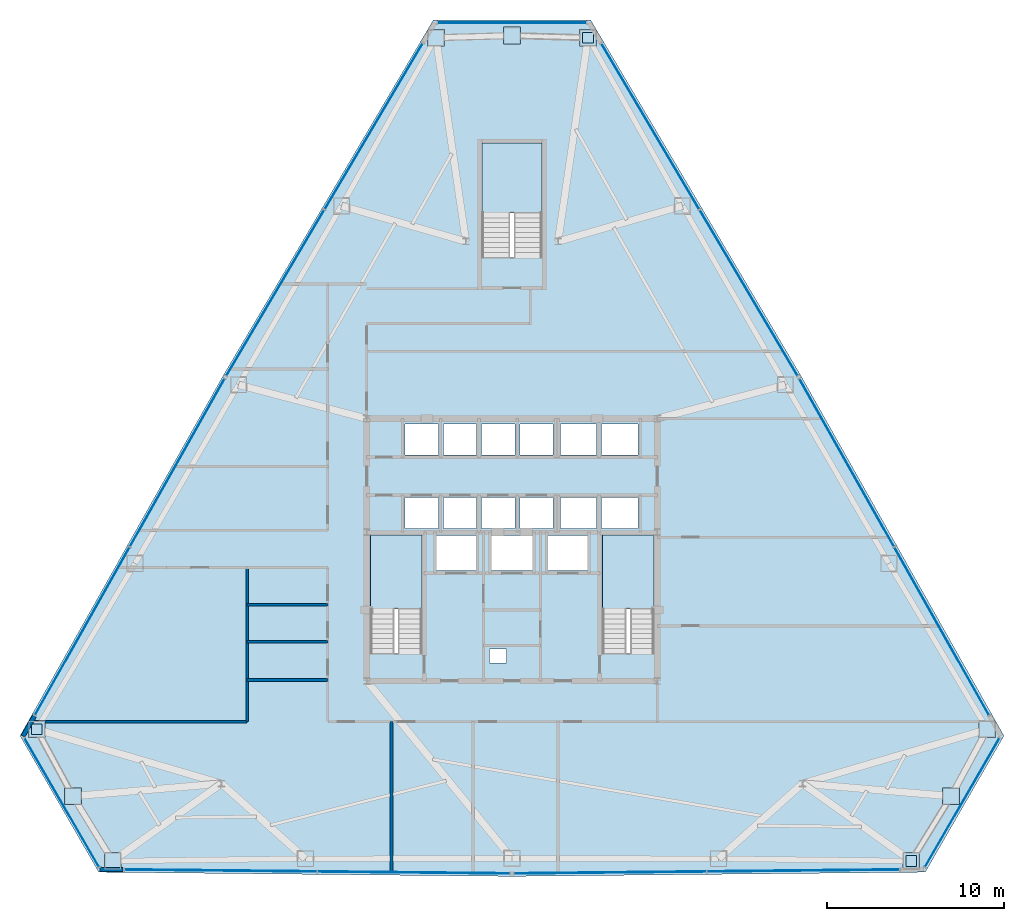
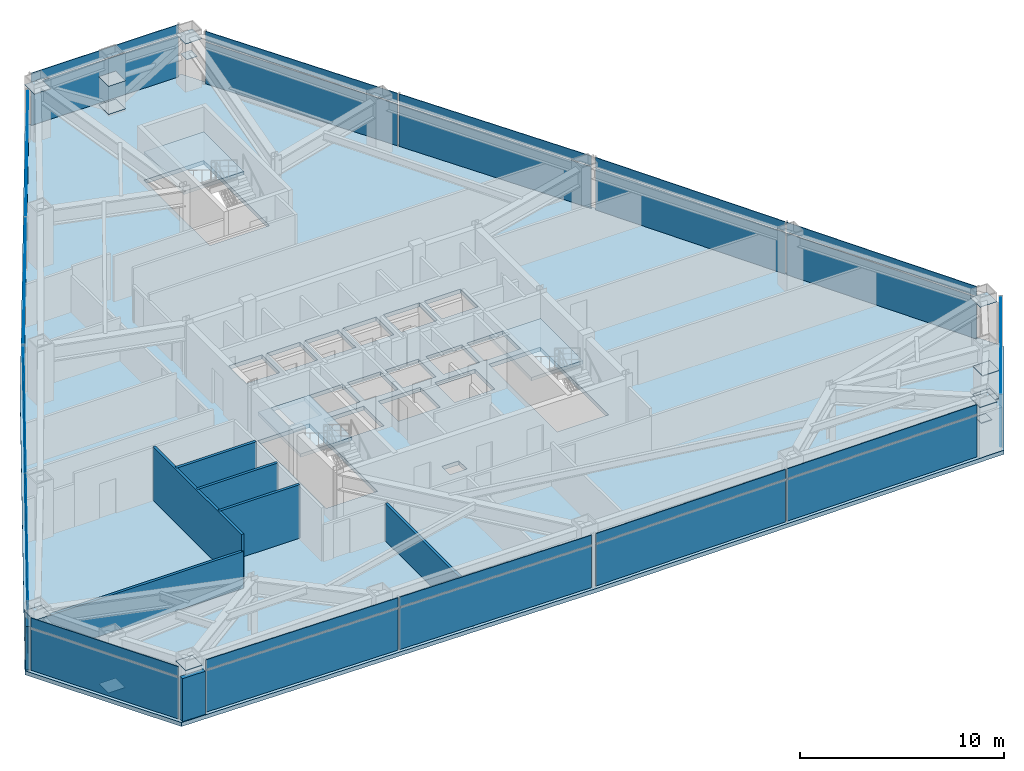
# One storey, part 9 of 13: 45 plates, 8 walls, 4 slabs, 12 elements without a shape of their own.
"""IFC4 building model written with IfcOpenShell, lengths in metres."""

from ifc_helpers import new_model, si_unit, direction, frame, frame_2d, origin, origin_2d, place, context, subcontext, project, spatial, polyline, rectangle, outline, extrude, source, transform, mapped, material, layer, layer_set, type_object, type_shapes, element, aggregate, save


model = new_model("IFC4")

# Units and contexts
model_context = context("Model", 3, precision=1e-05, world=origin(), true_north=direction((0.0, 1.0)))
body_context = subcontext(model_context, "Body", "Model", "MODEL_VIEW")
ifc_project = project(units=[si_unit("LENGTHUNIT", "METRE"), si_unit("AREAUNIT", "SQUARE_METRE"), si_unit("VOLUMEUNIT", "CUBIC_METRE"), si_unit("PLANEANGLEUNIT", "RADIAN"), si_unit("MASSUNIT", "GRAM", prefix="KILO")], contexts=[model_context])

# Site, building, storey
site_placement = place(None, origin())
site = spatial("IfcSite", under=ifc_project, at=site_placement, CompositionType="ELEMENT")
building_placement = place(site_placement, origin())
building = spatial("IfcBuilding", under=site, at=building_placement, Name="Varakhsha Concourse Tower", CompositionType="ELEMENT")
storey_placement = place(building_placement, frame((0.0, 0.0, 116.0)))
storey = spatial("IfcBuildingStorey", under=building, at=storey_placement, Name="L33", CompositionType="ELEMENT", Elevation=116.0)

# Slab
ifc_material_1 = material(Name="Concrete fc 45 MPa", Category="concrete")
ifc_layer_1 = layer(ifc_material_1, 0.239990234375, Name="SL-FLR-240")
ifc_layer_set_1 = layer_set([ifc_layer_1], Name="Concrete fc 45 MPa")
slab_type_1 = type_object("IfcSlabType", Name="SL-FLR-240", PredefinedType="FLOOR", material=ifc_layer_set_1)
slab_1_placement = place(storey_placement, frame((0.0, 0.0, -0.239990234375)))
element("IfcSlab", 1, at=slab_1_placement, inside=storey, type_object=slab_type_1, Name="L33 Composite Structural Slab", PredefinedType="FLOOR", context=body_context, shape_type="SweptSolid", body=[
    extrude(outline(polyline([(44.44287109375, 53.704833984375), (35.55712890625, 53.704833984375), (23.685791015625, 33.618896484375), (12.226806640625, 13.295166015625), (16.669677734375, 5.60009765625), (40.0, 5.36181640625), (63.330322265625, 5.60009765625), (67.773193359375, 13.295166015625), (56.314208984375, 33.618896484375), (44.44287109375, 53.704833984375)]), holes=[polyline([(34.919921875, 17.93994140625), (34.919921875, 24.6298828125), (32.0, 24.6298828125), (32.0, 17.93994140625), (34.919921875, 17.93994140625)]), polyline([(48.02001953125, 17.93994140625), (48.02001953125, 24.6298828125), (45.10009765625, 24.6298828125), (45.10009765625, 17.93994140625), (48.02001953125, 17.93994140625)]), polyline([(41.699951171875, 40.300048828125), (41.699951171875, 46.75), (38.300048828125, 46.75), (38.300048828125, 40.300048828125), (41.699951171875, 40.300048828125)]), polyline([(33.9599609375, 29.159912109375), (35.840087890625, 29.159912109375), (35.840087890625, 30.89990234375), (33.9599609375, 30.89990234375), (33.9599609375, 29.159912109375)]), polyline([(36.1201171875, 29.159912109375), (38.0, 29.159912109375), (38.0, 30.89990234375), (36.1201171875, 30.89990234375), (36.1201171875, 29.159912109375)]), polyline([(38.280029296875, 29.159912109375), (40.159912109375, 29.159912109375), (40.159912109375, 30.89990234375), (38.280029296875, 30.89990234375), (38.280029296875, 29.159912109375)]), polyline([(40.43994140625, 29.159912109375), (42.320068359375, 29.159912109375), (42.320068359375, 30.89990234375), (40.43994140625, 30.89990234375), (40.43994140625, 29.159912109375)]), polyline([(33.9599609375, 25.0), (35.840087890625, 25.0), (35.840087890625, 26.739990234375), (33.9599609375, 26.739990234375), (33.9599609375, 25.0)]), polyline([(36.1201171875, 25.0), (38.0, 25.0), (38.0, 26.739990234375), (36.1201171875, 26.739990234375), (36.1201171875, 25.0)]), polyline([(38.280029296875, 25.0), (40.159912109375, 25.0), (40.159912109375, 26.739990234375), (38.280029296875, 26.739990234375), (38.280029296875, 25.0)]), polyline([(40.43994140625, 25.0), (42.320068359375, 25.0), (42.320068359375, 26.739990234375), (40.43994140625, 26.739990234375), (40.43994140625, 25.0)]), polyline([(42.739990234375, 29.159912109375), (44.780029296875, 29.159912109375), (44.780029296875, 30.89990234375), (42.739990234375, 30.89990234375), (42.739990234375, 29.159912109375)]), polyline([(45.06005859375, 29.159912109375), (47.10009765625, 29.159912109375), (47.10009765625, 30.89990234375), (45.06005859375, 30.89990234375), (45.06005859375, 29.159912109375)]), polyline([(42.739990234375, 25.0), (44.780029296875, 25.0), (44.780029296875, 26.739990234375), (42.739990234375, 26.739990234375), (42.739990234375, 25.0)]), polyline([(45.06005859375, 25.0), (47.10009765625, 25.0), (47.10009765625, 26.739990234375), (45.06005859375, 26.739990234375), (45.06005859375, 25.0)]), polyline([(35.7099609375, 22.639892578125), (37.989990234375, 22.639892578125), (37.989990234375, 24.60009765625), (35.7099609375, 24.60009765625), (35.7099609375, 22.639892578125)]), polyline([(42.010009765625, 22.639892578125), (44.2900390625, 22.639892578125), (44.2900390625, 24.60009765625), (42.010009765625, 24.60009765625), (42.010009765625, 22.639892578125)]), polyline([(38.81005859375, 22.639892578125), (41.18994140625, 22.639892578125), (41.18994140625, 24.60009765625), (38.81005859375, 24.60009765625), (38.81005859375, 22.639892578125)]), polyline([(38.719970703125, 17.39990234375), (39.679931640625, 17.39990234375), (39.679931640625, 18.199951171875), (38.719970703125, 18.199951171875), (38.719970703125, 17.39990234375)])]), origin(), (0.0, 0.0, 1.0), 0.239990234375),
])

# Stair, slab
stair_type_1 = type_object("IfcStairType", Name="ST-DOGLEG-1360", PredefinedType="HALF_TURN_STAIR", material=ifc_material_1)
stair_1_placement = place(storey_placement, origin())
stair_1 = element("IfcStair", 2, at=stair_1_placement, inside=storey, type_object=stair_type_1, Name="L33 Protected Exit Stair ST1", PredefinedType="HALF_TURN_STAIR")
ifc_layer_2 = layer(ifc_material_1, 0.199951171875, Name="SL-LAND-200")
ifc_layer_set_2 = layer_set([ifc_layer_2], Name="Concrete fc 45 MPa")
slab_type_2 = type_object("IfcSlabType", Name="SL-LAND-200", PredefinedType="LANDING", material=ifc_layer_set_2)
slab_2_placement = place(storey_placement, frame((0.0, 0.0, 1.52490234375)))
slab_2 = element("IfcSlab", 3, at=slab_2_placement, type_object=slab_type_2, Name="ST1 landing 1", PredefinedType="LANDING", context=body_context, shape_type="SweptSolid", body=[
    extrude(outline(polyline([(34.919921875, 20.4599609375), (34.919921875, 24.6298828125), (32.0, 24.6298828125), (32.0, 20.4599609375), (34.919921875, 20.4599609375)])), origin(), (0.0, 0.0, 1.0), 0.2001953125),
])
aggregate(stair_1, [slab_2])

stair_2_placement = place(storey_placement, origin())
stair_2 = element("IfcStair", 4, at=stair_2_placement, inside=storey, type_object=stair_type_1, Name="L33 Protected Exit Stair ST2", PredefinedType="HALF_TURN_STAIR")
slab_3_placement = place(storey_placement, frame((0.0, 0.0, 1.52490234375)))
slab_3 = element("IfcSlab", 5, at=slab_3_placement, type_object=slab_type_2, Name="ST2 landing 1", PredefinedType="LANDING", context=body_context, shape_type="SweptSolid", body=[
    extrude(outline(polyline([(48.02001953125, 20.4599609375), (48.02001953125, 24.6298828125), (45.10009765625, 24.6298828125), (45.10009765625, 20.4599609375), (48.02001953125, 20.4599609375)])), origin(), (0.0, 0.0, 1.0), 0.2001953125),
])
aggregate(stair_2, [slab_3])

stair_type_2 = type_object("IfcStairType", Name="ST-DOGLEG-1600", PredefinedType="HALF_TURN_STAIR", material=ifc_material_1)
stair_3_placement = place(storey_placement, origin())
stair_3 = element("IfcStair", 6, at=stair_3_placement, inside=storey, type_object=stair_type_2, Name="L33 Protected Exit Stair ST5", PredefinedType="HALF_TURN_STAIR")
slab_4_placement = place(storey_placement, frame((0.0, 0.0, 1.52490234375)))
slab_4 = element("IfcSlab", 7, at=slab_4_placement, type_object=slab_type_2, Name="ST5 landing 1", PredefinedType="LANDING", context=body_context, shape_type="SweptSolid", body=[
    extrude(outline(polyline([(41.699951171875, 42.820068359375), (41.699951171875, 46.75), (38.300048828125, 46.75), (38.300048828125, 42.820068359375), (41.699951171875, 42.820068359375)])), origin(), (0.0, 0.0, 1.0), 0.2001953125),
])
aggregate(stair_3, [slab_4])

# Plates
ifc_material_2 = material(Name="Structural Steel ASTM A572 Grade 50", Category="steel")
ifc_layer_3 = layer(ifc_material_2, 0.030029296875, Name="PL-ENDCAP-950")
ifc_layer_set_3 = layer_set([ifc_layer_3], Name="Structural Steel ASTM A572 Grade 50")
plate_type_1 = type_object("IfcPlateType", Name="PL-ENDCAP-950", PredefinedType="USERDEFINED", material=ifc_layer_set_3)
shared_shape_1 = source(origin(), body_context, "Body", "SweptSolid", [
    extrude(rectangle(XDim=0.949951171875, YDim=0.949951171875, at=origin_2d()), origin(), (0.0, 0.0, 1.0), 0.030029296875),
])
type_shapes(plate_type_1, [shared_shape_1])
for number, where, z_axis, x_axis, name in (
    (8, (40.0, 52.82470703125, 0.10498046875), (0.0, 0.0, 1.0), (1.0, 0.0, 0.0), "Hollow Section End Cap GP-NODE-L33-0313"),
    (9, (44.2919921875, 52.7041015625, 2.89501953125), (0.0, 0.0, 1.0), (1.0, 0.0, 0.0), "Hollow Section End Cap GP-NODE-L33-0314"),
    (10, (35.7080078125, 52.7041015625, 2.89501953125), (0.0, 0.0, 1.0), (1.0, 0.0, 0.0), "Hollow Section End Cap GP-NODE-L33-0315"),
    (11, (15.210205078125, 9.8876953125, 0.10498046875), (0.0, 0.0, 1.0), (1.0, 0.0, 0.0), "Hollow Section End Cap GP-NODE-L33-0316"),
    (12, (13.168701171875, 13.6650390625, 2.89501953125), (0.0, 0.0, 1.0), (1.0, 0.0, 0.0), "Hollow Section End Cap GP-NODE-L33-0317"),
    (13, (17.4609375, 6.23095703125, 2.89501953125), (0.0, 0.0, 1.0), (1.0, 0.0, 0.0), "Hollow Section End Cap GP-NODE-L33-0318"),
    (14, (64.789794921875, 9.8876953125, 0.10498046875), (0.0, 0.0, 1.0), (1.0, 0.0, 0.0), "Hollow Section End Cap GP-NODE-L33-0319"),
    (15, (62.5390625, 6.23095703125, 2.89501953125), (0.0, 0.0, 1.0), (1.0, 0.0, 0.0), "Hollow Section End Cap GP-NODE-L33-0320"),
    (16, (66.831298828125, 13.6650390625, 2.89501953125), (0.0, 0.0, 1.0), (1.0, 0.0, 0.0), "Hollow Section End Cap GP-NODE-L33-0321"),
    (17, (40.0, 52.82470703125, 1.78515625), (0.0, 0.0, 1.0), (1.0, 0.0, 0.0), "Hollow Section End Cap GP-NODE-L33-0322"),
    (18, (15.210205078125, 9.8876953125, 1.78515625), (0.0, 0.0, 1.0), (1.0, 0.0, 0.0), "Hollow Section End Cap GP-NODE-L33-0323"),
    (19, (64.789794921875, 9.8876953125, 1.78515625), (0.0, 0.0, 1.0), (1.0, 0.0, 0.0), "Hollow Section End Cap GP-NODE-L33-0324"),
):
    element("IfcPlate", number, at=place(storey_placement, frame(where, z_axis=z_axis, x_axis=x_axis)), inside=storey, type_object=plate_type_1, Name=name, ObjectType="END PLATE", PredefinedType="USERDEFINED", context=body_context, shape_type="MappedRepresentation", body=[
        mapped(shared_shape_1, transform((0.0, 0.0, 0.0), scale=1.0)),
    ])
ifc_layer_4 = layer(ifc_material_2, 0.030029296875, Name="PL-BASE-600")
ifc_layer_set_4 = layer_set([ifc_layer_4], Name="Structural Steel ASTM A572 Grade 50")
plate_type_2 = type_object("IfcPlateType", Name="PL-BASE-600", PredefinedType="SHEET", material=ifc_layer_set_4)
shared_shape_2 = source(origin(), body_context, "Body", "SweptSolid", [
    extrude(rectangle(XDim=0.60009765625, YDim=0.60009765625, at=origin_2d()), origin(), (0.0, 0.0, 1.0), 0.030029296875),
])
type_shapes(plate_type_2, [shared_shape_2])
for number, where, z_axis, x_axis, name in (
    (20, (44.2919921875, 52.7041015625, 1.78515625), (0.0, 0.0, 1.0), (1.0, 0.0, 0.0), "Hollow Section End Cap BP-WTIE-L33-1"),
    (21, (13.168701171875, 13.6650390625, 1.78515625), (0.0, 0.0, 1.0), (1.0, 0.0, 0.0), "Hollow Section End Cap BP-WTIE-L33-2"),
    (22, (62.5390625, 6.23095703125, 1.78515625), (0.0, 0.0, 1.0), (1.0, 0.0, 0.0), "Hollow Section End Cap BP-WTIE-L33-3"),
):
    element("IfcPlate", number, at=place(storey_placement, frame(where, z_axis=z_axis, x_axis=x_axis)), inside=storey, type_object=plate_type_2, Name=name, PredefinedType="SHEET", context=body_context, shape_type="MappedRepresentation", body=[
        mapped(shared_shape_2, transform((0.0, 0.0, 0.0), scale=1.0)),
    ])

# Curtain wall, plate
ifc_material_3 = material(Name="Anodised Bronze Architectural Aluminium AA 6063-T6", Category="aluminium")
ifc_layer_5 = layer(ifc_material_3, 0.2099609375, Name="CW-SYS-04")
ifc_layer_set_5 = layer_set([ifc_layer_5], Name="Anodised Bronze Architectural Aluminium AA 6063-T6")
curtain_wall_type = type_object("IfcCurtainWallType", Name="CW-SYS-04", PredefinedType="NOTDEFINED", material=ifc_layer_set_5)
curtain_wall_1_placement = place(storey_placement, origin())
curtain_wall_1 = element("IfcCurtainWall", 23, at=curtain_wall_1_placement, inside=storey, type_object=curtain_wall_type, Name="L33 Chamfer Curtain Wall F1", PredefinedType="NOTDEFINED")
ifc_material_4 = material(Name="Insulated Anodised Bronze Aluminium Spandrel 36 mm", Category="aluminium")
ifc_layer_6 = layer(ifc_material_4, 0.035888671875, Name="CWP-SPN-36")
ifc_layer_set_6 = layer_set([ifc_layer_6], Name="Insulated Anodised Bronze Aluminium Spandrel 36 mm")
plate_type_3 = type_object("IfcPlateType", Name="CWP-SPN-36", PredefinedType="USERDEFINED", material=ifc_layer_set_6)
shared_shape_3 = source(origin(), body_context, "Body", "SweptSolid", [
    extrude(rectangle(XDim=8.36669921875, YDim=0.035888671875, at=origin_2d()), origin(), (0.0, 0.0, 1.0), 2.490966796875),
])
type_shapes(plate_type_3, [shared_shape_3])
plate_1_placement = place(storey_placement, frame((40.0, 53.544921875, 0.03466796875), z_axis=(0.0, 0.0, 1.0), x_axis=(1.0, 0.0, 0.0)))
plate_1 = element("IfcPlate", 24, at=plate_1_placement, type_object=plate_type_3, Name="CW-L33-F1 Panel 00-00", ObjectType="SPANDREL", PredefinedType="USERDEFINED", context=body_context, shape_type="MappedRepresentation", body=[
    mapped(shared_shape_3, transform((0.0, 0.0, 0.0), scale=1.0)),
])

curtain_wall_2_placement = place(storey_placement, origin())
curtain_wall_2 = element("IfcCurtainWall", 25, at=curtain_wall_2_placement, inside=storey, type_object=curtain_wall_type, Name="L33 Chamfer Curtain Wall F4", PredefinedType="NOTDEFINED")
plate_2_placement = place(storey_placement, frame((14.5869140625, 9.527587890625, 0.03466796875), z_axis=(0.0, 0.0, 1.0), x_axis=(-0.500004534492, 0.866022785779, 0.0)))
plate_2 = element("IfcPlate", 26, at=plate_2_placement, type_object=plate_type_3, Name="CW-L33-F4 Panel 00-00", ObjectType="SPANDREL", PredefinedType="USERDEFINED", context=body_context, shape_type="MappedRepresentation", body=[
    mapped(shared_shape_3, transform((0.0, 0.0, 0.0), scale=1.0)),
])

curtain_wall_3_placement = place(storey_placement, origin())
curtain_wall_3 = element("IfcCurtainWall", 27, at=curtain_wall_3_placement, inside=storey, type_object=curtain_wall_type, Name="L33 Chamfer Curtain Wall F7", PredefinedType="NOTDEFINED")
plate_3_placement = place(storey_placement, frame((65.413330078125, 9.527587890625, 0.03466796875), z_axis=(0.0, 0.0, 1.0), x_axis=(-0.500004534492, -0.866022785779, 0.0)))
plate_3 = element("IfcPlate", 28, at=plate_3_placement, type_object=plate_type_3, Name="CW-L33-F7 Panel 00-00", ObjectType="SPANDREL", PredefinedType="USERDEFINED", context=body_context, shape_type="MappedRepresentation", body=[
    mapped(shared_shape_3, transform((0.0, 0.0, 0.0), scale=1.0)),
])

# Plate
ifc_material_5 = material(Name="Glazed Turquoise-Bronze Ceramic Spandrel Panel 38 mm", Category="ceramic")
ifc_layer_7 = layer(ifc_material_5, 0.0380859375, Name="CWP-SPN-38")
ifc_layer_set_7 = layer_set([ifc_layer_7], Name="Glazed Turquoise-Bronze Ceramic Spandrel Panel 38 mm")
plate_type_4 = type_object("IfcPlateType", Name="CWP-SPN-38", PredefinedType="USERDEFINED", material=ifc_layer_set_7)
shared_shape_4 = source(origin(), body_context, "Body", "SweptSolid", [
    extrude(rectangle(XDim=8.36669921875, YDim=0.0380859375, at=origin_2d()), origin(), (0.0, 0.0, 1.0), 0.5810546875),
])
plate_4_placement = place(storey_placement, frame((40.0, 53.544921875, 2.594482421875), z_axis=(0.0, 0.0, 1.0), x_axis=(1.0, 0.0, 0.0)))
plate_4 = element("IfcPlate", 29, at=plate_4_placement, type_object=plate_type_4, Name="CW-L33-F1 Panel 00-01", ObjectType="SPANDREL", PredefinedType="USERDEFINED", context=body_context, shape_type="MappedRepresentation", body=[
    mapped(shared_shape_4, transform((0.0, 0.0, 0.0), scale=1.0)),
])

aggregate(curtain_wall_1, [plate_1, plate_4])

plate_5_placement = place(storey_placement, frame((14.5869140625, 9.527587890625, 2.594482421875), z_axis=(0.0, 0.0, 1.0), x_axis=(-0.500004534492, 0.866022785779, 0.0)))
plate_5 = element("IfcPlate", 30, at=plate_5_placement, type_object=plate_type_4, Name="CW-L33-F4 Panel 00-01", ObjectType="SPANDREL", PredefinedType="USERDEFINED", context=body_context, shape_type="MappedRepresentation", body=[
    mapped(shared_shape_4, transform((0.0, 0.0, 0.0), scale=1.0)),
])

aggregate(curtain_wall_2, [plate_2, plate_5])

plate_6_placement = place(storey_placement, frame((65.413330078125, 9.527587890625, 2.594482421875), z_axis=(0.0, 0.0, 1.0), x_axis=(-0.500004534492, -0.866022785779, 0.0)))
plate_6 = element("IfcPlate", 31, at=plate_6_placement, type_object=plate_type_4, Name="CW-L33-F7 Panel 00-01", ObjectType="SPANDREL", PredefinedType="USERDEFINED", context=body_context, shape_type="MappedRepresentation", body=[
    mapped(shared_shape_4, transform((0.0, 0.0, 0.0), scale=1.0)),
])

aggregate(curtain_wall_3, [plate_3, plate_6])

# Curtain wall, plates
curtain_wall_4_placement = place(storey_placement, origin())
curtain_wall_4 = element("IfcCurtainWall", 32, at=curtain_wall_4_placement, inside=storey, type_object=curtain_wall_type, Name="L33 Crystal Curtain Wall F2", PredefinedType="NOTDEFINED")
ifc_material_6 = material(Name="Low-E Triple Insulating Glass IGU 44 mm", Category="glass")
ifc_layer_8 = layer(ifc_material_6, 0.0439453125, Name="CWP-IGU-44")
ifc_layer_set_8 = layer_set([ifc_layer_8], Name="Low-E Triple Insulating Glass IGU 44 mm")
plate_type_5 = type_object("IfcPlateType", Name="CWP-IGU-44", PredefinedType="CURTAIN_PANEL", material=ifc_layer_set_8)
shared_shape_5 = source(origin(), body_context, "Body", "SweptSolid", [
    extrude(rectangle(XDim=10.8369140625, YDim=0.0439453125, at=origin_2d()), origin(), (0.0, 0.0, 1.0), 2.490966796875),
])
type_shapes(plate_type_5, [shared_shape_5])
plate_7_placement = place(storey_placement, frame((26.64111328125, 38.30517578125, 0.03466796875), z_axis=(0.0, 0.0, 1.0), x_axis=(0.508814554061, 0.860876152287, 0.0)))
plate_7 = element("IfcPlate", 33, at=plate_7_placement, type_object=plate_type_5, Name="CW-L33-F2 Panel 00-00", PredefinedType="CURTAIN_PANEL", context=body_context, shape_type="MappedRepresentation", body=[
    mapped(shared_shape_5, transform((0.0, 0.0, 0.0), scale=1.0)),
])
plate_8_placement = place(storey_placement, frame((32.1953125, 47.702392578125, 0.03466796875), z_axis=(0.0, 0.0, 1.0), x_axis=(0.508814554061, 0.860876152287, 0.0)))
plate_8 = element("IfcPlate", 34, at=plate_8_placement, type_object=plate_type_5, Name="CW-L33-F2 Panel 01-00", PredefinedType="CURTAIN_PANEL", context=body_context, shape_type="MappedRepresentation", body=[
    mapped(shared_shape_5, transform((0.0, 0.0, 0.0), scale=1.0)),
])

curtain_wall_5_placement = place(storey_placement, origin())
curtain_wall_5 = element("IfcCurtainWall", 35, at=curtain_wall_5_placement, inside=storey, type_object=curtain_wall_type, Name="L33 Crystal Curtain Wall F3", PredefinedType="NOTDEFINED")
plate_9_placement = place(storey_placement, frame((15.744140625, 19.2080078125, 0.03466796875), z_axis=(0.0, 0.0, 1.0), x_axis=(0.491137901342, 0.871081834195, 0.0)))
plate_9 = element("IfcPlate", 36, at=plate_9_placement, type_object=plate_type_5, Name="CW-L33-F3 Panel 00-00", PredefinedType="CURTAIN_PANEL", context=body_context, shape_type="MappedRepresentation", body=[
    mapped(shared_shape_5, transform((0.0, 0.0, 0.0), scale=1.0)),
])
plate_10_placement = place(storey_placement, frame((21.105224609375, 28.71630859375, 0.03466796875), z_axis=(0.0, 0.0, 1.0), x_axis=(0.491137901342, 0.871081834195, 0.0)))
plate_10 = element("IfcPlate", 37, at=plate_10_placement, type_object=plate_type_5, Name="CW-L33-F3 Panel 01-00", PredefinedType="CURTAIN_PANEL", context=body_context, shape_type="MappedRepresentation", body=[
    mapped(shared_shape_5, transform((0.0, 0.0, 0.0), scale=1.0)),
])

curtain_wall_6_placement = place(storey_placement, origin())
curtain_wall_6 = element("IfcCurtainWall", 38, at=curtain_wall_6_placement, inside=storey, type_object=curtain_wall_type, Name="L33 Crystal Curtain Wall F5", PredefinedType="NOTDEFINED")
plate_11_placement = place(storey_placement, frame((34.464111328125, 5.578369140625, 0.03466796875), z_axis=(0.0, 0.0, 1.0), x_axis=(-0.99994793005, 0.010204763012, 0.0)))
plate_11 = element("IfcPlate", 39, at=plate_11_placement, type_object=plate_type_5, Name="CW-L33-F5 Panel 00-00", PredefinedType="CURTAIN_PANEL", context=body_context, shape_type="MappedRepresentation", body=[
    mapped(shared_shape_5, transform((0.0, 0.0, 0.0), scale=1.0)),
])
plate_12_placement = place(storey_placement, frame((23.548583984375, 5.689697265625, 0.03466796875), z_axis=(0.0, 0.0, 1.0), x_axis=(-0.99994793005, 0.010204763012, 0.0)))
plate_12 = element("IfcPlate", 40, at=plate_12_placement, type_object=plate_type_5, Name="CW-L33-F5 Panel 01-00", PredefinedType="CURTAIN_PANEL", context=body_context, shape_type="MappedRepresentation", body=[
    mapped(shared_shape_5, transform((0.0, 0.0, 0.0), scale=1.0)),
])

curtain_wall_7_placement = place(storey_placement, origin())
curtain_wall_7 = element("IfcCurtainWall", 41, at=curtain_wall_7_placement, inside=storey, type_object=curtain_wall_type, Name="L33 Crystal Curtain Wall F6", PredefinedType="NOTDEFINED")
plate_13_placement = place(storey_placement, frame((56.451416015625, 5.689697265625, 0.03466796875), z_axis=(0.0, 0.0, 1.0), x_axis=(-0.99994793005, -0.010204763012, 0.0)))
plate_13 = element("IfcPlate", 42, at=plate_13_placement, type_object=plate_type_5, Name="CW-L33-F6 Panel 00-00", PredefinedType="CURTAIN_PANEL", context=body_context, shape_type="MappedRepresentation", body=[
    mapped(shared_shape_5, transform((0.0, 0.0, 0.0), scale=1.0)),
])
plate_14_placement = place(storey_placement, frame((45.535888671875, 5.578369140625, 0.03466796875), z_axis=(0.0, 0.0, 1.0), x_axis=(-0.99994793005, -0.010204763012, 0.0)))
plate_14 = element("IfcPlate", 43, at=plate_14_placement, type_object=plate_type_5, Name="CW-L33-F6 Panel 01-00", PredefinedType="CURTAIN_PANEL", context=body_context, shape_type="MappedRepresentation", body=[
    mapped(shared_shape_5, transform((0.0, 0.0, 0.0), scale=1.0)),
])

curtain_wall_8_placement = place(storey_placement, origin())
curtain_wall_8 = element("IfcCurtainWall", 44, at=curtain_wall_8_placement, inside=storey, type_object=curtain_wall_type, Name="L33 Crystal Curtain Wall F8", PredefinedType="NOTDEFINED")
plate_15_placement = place(storey_placement, frame((58.894775390625, 28.71630859375, 0.03466796875), z_axis=(0.0, 0.0, 1.0), x_axis=(0.491137901342, -0.871081834195, 0.0)))
plate_15 = element("IfcPlate", 45, at=plate_15_placement, type_object=plate_type_5, Name="CW-L33-F8 Panel 00-00", PredefinedType="CURTAIN_PANEL", context=body_context, shape_type="MappedRepresentation", body=[
    mapped(shared_shape_5, transform((0.0, 0.0, 0.0), scale=1.0)),
])
plate_16_placement = place(storey_placement, frame((64.255859375, 19.2080078125, 0.03466796875), z_axis=(0.0, 0.0, 1.0), x_axis=(0.491137901342, -0.871081834195, 0.0)))
plate_16 = element("IfcPlate", 46, at=plate_16_placement, type_object=plate_type_5, Name="CW-L33-F8 Panel 01-00", PredefinedType="CURTAIN_PANEL", context=body_context, shape_type="MappedRepresentation", body=[
    mapped(shared_shape_5, transform((0.0, 0.0, 0.0), scale=1.0)),
])

curtain_wall_9_placement = place(storey_placement, origin())
curtain_wall_9 = element("IfcCurtainWall", 47, at=curtain_wall_9_placement, inside=storey, type_object=curtain_wall_type, Name="L33 Crystal Curtain Wall F9", PredefinedType="NOTDEFINED")
plate_17_placement = place(storey_placement, frame((47.8046875, 47.702392578125, 0.03466796875), z_axis=(0.0, 0.0, 1.0), x_axis=(0.508814554061, -0.860876152287, 0.0)))
plate_17 = element("IfcPlate", 48, at=plate_17_placement, type_object=plate_type_5, Name="CW-L33-F9 Panel 00-00", PredefinedType="CURTAIN_PANEL", context=body_context, shape_type="MappedRepresentation", body=[
    mapped(shared_shape_5, transform((0.0, 0.0, 0.0), scale=1.0)),
])
plate_18_placement = place(storey_placement, frame((53.35888671875, 38.30517578125, 0.03466796875), z_axis=(0.0, 0.0, 1.0), x_axis=(0.508814554061, -0.860876152287, 0.0)))
plate_18 = element("IfcPlate", 49, at=plate_18_placement, type_object=plate_type_5, Name="CW-L33-F9 Panel 01-00", PredefinedType="CURTAIN_PANEL", context=body_context, shape_type="MappedRepresentation", body=[
    mapped(shared_shape_5, transform((0.0, 0.0, 0.0), scale=1.0)),
])

# Plate
shared_shape_6 = source(origin(), body_context, "Body", "SweptSolid", [
    extrude(rectangle(XDim=10.8369140625, YDim=0.0380859375, at=origin_2d()), origin(), (0.0, 0.0, 1.0), 0.5810546875),
])
type_shapes(plate_type_4, [shared_shape_4, shared_shape_6])
plate_19_placement = place(storey_placement, frame((26.64111328125, 38.30517578125, 2.594482421875), z_axis=(0.0, 0.0, 1.0), x_axis=(0.508814554061, 0.860876152287, 0.0)))
plate_19 = element("IfcPlate", 50, at=plate_19_placement, type_object=plate_type_4, Name="CW-L33-F2 Panel 00-01", ObjectType="SPANDREL", PredefinedType="USERDEFINED", context=body_context, shape_type="MappedRepresentation", body=[
    mapped(shared_shape_6, transform((0.0, 0.0, 0.0), scale=1.0)),
])

plate_20_placement = place(storey_placement, frame((32.1953125, 47.702392578125, 2.594482421875), z_axis=(0.0, 0.0, 1.0), x_axis=(0.508814554061, 0.860876152287, 0.0)))
plate_20 = element("IfcPlate", 51, at=plate_20_placement, type_object=plate_type_4, Name="CW-L33-F2 Panel 01-01", ObjectType="SPANDREL", PredefinedType="USERDEFINED", context=body_context, shape_type="MappedRepresentation", body=[
    mapped(shared_shape_6, transform((0.0, 0.0, 0.0), scale=1.0)),
])

aggregate(curtain_wall_4, [plate_7, plate_19, plate_8, plate_20])

plate_21_placement = place(storey_placement, frame((15.744140625, 19.2080078125, 2.594482421875), z_axis=(0.0, 0.0, 1.0), x_axis=(0.491137901342, 0.871081834195, 0.0)))
plate_21 = element("IfcPlate", 52, at=plate_21_placement, type_object=plate_type_4, Name="CW-L33-F3 Panel 00-01", ObjectType="SPANDREL", PredefinedType="USERDEFINED", context=body_context, shape_type="MappedRepresentation", body=[
    mapped(shared_shape_6, transform((0.0, 0.0, 0.0), scale=1.0)),
])

plate_22_placement = place(storey_placement, frame((21.105224609375, 28.71630859375, 2.594482421875), z_axis=(0.0, 0.0, 1.0), x_axis=(0.491137901342, 0.871081834195, 0.0)))
plate_22 = element("IfcPlate", 53, at=plate_22_placement, type_object=plate_type_4, Name="CW-L33-F3 Panel 01-01", ObjectType="SPANDREL", PredefinedType="USERDEFINED", context=body_context, shape_type="MappedRepresentation", body=[
    mapped(shared_shape_6, transform((0.0, 0.0, 0.0), scale=1.0)),
])

aggregate(curtain_wall_5, [plate_9, plate_21, plate_10, plate_22])

plate_23_placement = place(storey_placement, frame((34.464111328125, 5.578369140625, 2.594482421875), z_axis=(0.0, 0.0, 1.0), x_axis=(-0.99994793005, 0.010204763012, 0.0)))
plate_23 = element("IfcPlate", 54, at=plate_23_placement, type_object=plate_type_4, Name="CW-L33-F5 Panel 00-01", ObjectType="SPANDREL", PredefinedType="USERDEFINED", context=body_context, shape_type="MappedRepresentation", body=[
    mapped(shared_shape_6, transform((0.0, 0.0, 0.0), scale=1.0)),
])

plate_24_placement = place(storey_placement, frame((23.548583984375, 5.689697265625, 2.594482421875), z_axis=(0.0, 0.0, 1.0), x_axis=(-0.99994793005, 0.010204763012, 0.0)))
plate_24 = element("IfcPlate", 55, at=plate_24_placement, type_object=plate_type_4, Name="CW-L33-F5 Panel 01-01", ObjectType="SPANDREL", PredefinedType="USERDEFINED", context=body_context, shape_type="MappedRepresentation", body=[
    mapped(shared_shape_6, transform((0.0, 0.0, 0.0), scale=1.0)),
])

aggregate(curtain_wall_6, [plate_11, plate_23, plate_12, plate_24])

plate_25_placement = place(storey_placement, frame((56.451416015625, 5.689697265625, 2.594482421875), z_axis=(0.0, 0.0, 1.0), x_axis=(-0.99994793005, -0.010204763012, 0.0)))
plate_25 = element("IfcPlate", 56, at=plate_25_placement, type_object=plate_type_4, Name="CW-L33-F6 Panel 00-01", ObjectType="SPANDREL", PredefinedType="USERDEFINED", context=body_context, shape_type="MappedRepresentation", body=[
    mapped(shared_shape_6, transform((0.0, 0.0, 0.0), scale=1.0)),
])

plate_26_placement = place(storey_placement, frame((45.535888671875, 5.578369140625, 2.594482421875), z_axis=(0.0, 0.0, 1.0), x_axis=(-0.99994793005, -0.010204763012, 0.0)))
plate_26 = element("IfcPlate", 57, at=plate_26_placement, type_object=plate_type_4, Name="CW-L33-F6 Panel 01-01", ObjectType="SPANDREL", PredefinedType="USERDEFINED", context=body_context, shape_type="MappedRepresentation", body=[
    mapped(shared_shape_6, transform((0.0, 0.0, 0.0), scale=1.0)),
])

aggregate(curtain_wall_7, [plate_13, plate_25, plate_14, plate_26])

plate_27_placement = place(storey_placement, frame((58.894775390625, 28.71630859375, 2.594482421875), z_axis=(0.0, 0.0, 1.0), x_axis=(0.491137901342, -0.871081834195, 0.0)))
plate_27 = element("IfcPlate", 58, at=plate_27_placement, type_object=plate_type_4, Name="CW-L33-F8 Panel 00-01", ObjectType="SPANDREL", PredefinedType="USERDEFINED", context=body_context, shape_type="MappedRepresentation", body=[
    mapped(shared_shape_6, transform((0.0, 0.0, 0.0), scale=1.0)),
])

plate_28_placement = place(storey_placement, frame((64.255859375, 19.2080078125, 2.594482421875), z_axis=(0.0, 0.0, 1.0), x_axis=(0.491137901342, -0.871081834195, 0.0)))
plate_28 = element("IfcPlate", 59, at=plate_28_placement, type_object=plate_type_4, Name="CW-L33-F8 Panel 01-01", ObjectType="SPANDREL", PredefinedType="USERDEFINED", context=body_context, shape_type="MappedRepresentation", body=[
    mapped(shared_shape_6, transform((0.0, 0.0, 0.0), scale=1.0)),
])

aggregate(curtain_wall_8, [plate_15, plate_27, plate_16, plate_28])

plate_29_placement = place(storey_placement, frame((47.8046875, 47.702392578125, 2.594482421875), z_axis=(0.0, 0.0, 1.0), x_axis=(0.508814554061, -0.860876152287, 0.0)))
plate_29 = element("IfcPlate", 60, at=plate_29_placement, type_object=plate_type_4, Name="CW-L33-F9 Panel 00-01", ObjectType="SPANDREL", PredefinedType="USERDEFINED", context=body_context, shape_type="MappedRepresentation", body=[
    mapped(shared_shape_6, transform((0.0, 0.0, 0.0), scale=1.0)),
])

plate_30_placement = place(storey_placement, frame((53.35888671875, 38.30517578125, 2.594482421875), z_axis=(0.0, 0.0, 1.0), x_axis=(0.508814554061, -0.860876152287, 0.0)))
plate_30 = element("IfcPlate", 61, at=plate_30_placement, type_object=plate_type_4, Name="CW-L33-F9 Panel 01-01", ObjectType="SPANDREL", PredefinedType="USERDEFINED", context=body_context, shape_type="MappedRepresentation", body=[
    mapped(shared_shape_6, transform((0.0, 0.0, 0.0), scale=1.0)),
])

aggregate(curtain_wall_9, [plate_17, plate_29, plate_18, plate_30])

# Walls
ifc_layer_9 = layer(ifc_material_1, 0.239990234375, Name="WL-EXT-CRN-240")
ifc_layer_set_9 = layer_set([ifc_layer_9], Name="Concrete fc 45 MPa")
wall_type_1 = type_object("IfcWallType", Name="WL-EXT-CRN-240", PredefinedType="SHEAR", material=ifc_layer_set_9)
for number, where, z_axis, x_axis, name in (
    (62, (13.045166015625, 14.4208984375, 0.0), (0.0, 0.0, 1.0), (-0.4912738615, -0.871005162446, 0.0), "L33 Wind-Corner Shoulder Wall F3"),
    (63, (16.749267578125, 5.759033203125, 0.0), (0.0, 0.0, 1.0), (0.999948931405, -0.010106165506, 0.0), "L33 Wind-Corner Shoulder Wall F5"),
):
    element("IfcWall", number, at=place(storey_placement, frame(where, z_axis=z_axis, x_axis=x_axis)), inside=storey, type_object=wall_type_1, Name=name, PredefinedType="SHEAR", context=body_context, shape_type="SweptSolid", body=[
        extrude(rectangle(XDim=1.304443359375, YDim=0.239990234375, at=frame_2d((0.65234375, 0.0))), origin(), (0.0, 0.0, 1.0), 2.5830078125),
    ])
ifc_material_7 = material(Name="Fire-Rated Type X Gypsum Partition Assembly", Category="gypsum")
ifc_layer_10 = layer(ifc_material_7, 0.14990234375, Name="WL-PART-150")
ifc_layer_set_10 = layer_set([ifc_layer_10], Name="Fire-Rated Type X Gypsum Partition Assembly")
wall_type_2 = type_object("IfcWallType", Name="WL-PART-150", PredefinedType="PARTITIONING", material=ifc_layer_set_10)
wall_1_placement = place(storey_placement, frame((25.050048828125, 14.10009765625, 0.0), z_axis=(0.0, 0.0, 1.0), x_axis=(0.0, 1.0, 0.0)))
element("IfcWall", 64, at=wall_1_placement, inside=storey, type_object=wall_type_2, Name="L33 Wall C2WC-W-L33", PredefinedType="PARTITIONING", context=body_context, shape_type="SweptSolid", body=[
    extrude(rectangle(XDim=8.699951171875, YDim=0.14990234375, at=frame_2d((4.35009765625, 0.0))), origin(), (0.0, 0.0, 1.0), 3.2099609375),
])
for number, where, z_axis, x_axis, name in (
    (65, (25.050048828125, 16.449951171875, 0.0), (0.0, 0.0, 1.0), (1.0, 0.0, 0.0), "L33 Wall C2WC-S-L33"),
    (66, (25.050048828125, 18.60009765625, 0.0), (0.0, 0.0, 1.0), (1.0, 0.0, 0.0), "L33 Wall C2WC-D1-L33"),
    (67, (25.050048828125, 20.699951171875, 0.0), (0.0, 0.0, 1.0), (1.0, 0.0, 0.0), "L33 Wall C2WC-D2-L33"),
):
    element("IfcWall", number, at=place(storey_placement, frame(where, z_axis=z_axis, x_axis=x_axis)), inside=storey, type_object=wall_type_2, Name=name, PredefinedType="PARTITIONING", context=body_context, shape_type="SweptSolid", body=[
        extrude(rectangle(XDim=4.550048828125, YDim=0.14990234375, at=frame_2d((2.27490234375, 0.0))), origin(), (0.0, 0.0, 1.0), 3.2099609375),
    ])
wall_2_placement = place(storey_placement, frame((33.199951171875, 5.59619140625, 0.0), z_axis=(0.0, 0.0, 1.0), x_axis=(0.0, 1.0, 0.0)))
element("IfcWall", 68, at=wall_2_placement, inside=storey, type_object=wall_type_2, Name="L33 Wall ODIV-S1-L33", PredefinedType="PARTITIONING", context=body_context, shape_type="SweptSolid", body=[
    extrude(rectangle(XDim=8.50390625, YDim=0.14990234375, at=frame_2d((4.251953125, 0.0))), origin(), (0.0, 0.0, 1.0), 2.22509765625),
])
wall_3_placement = place(storey_placement, frame((12.869873046875, 14.10009765625, 0.0), z_axis=(0.0, 0.0, 1.0), x_axis=(1.0, 0.0, 0.0)))
element("IfcWall", 69, at=wall_3_placement, inside=storey, type_object=wall_type_2, Name="L33 Wall ODIV-SWB-L33", PredefinedType="PARTITIONING", context=body_context, shape_type="SweptSolid", body=[
    extrude(rectangle(XDim=12.18017578125, YDim=0.14990234375, at=frame_2d((6.090087890625, 0.0))), origin(), (0.0, 0.0, 1.0), 2.22509765625),
])

save(model, "model.ifc")
